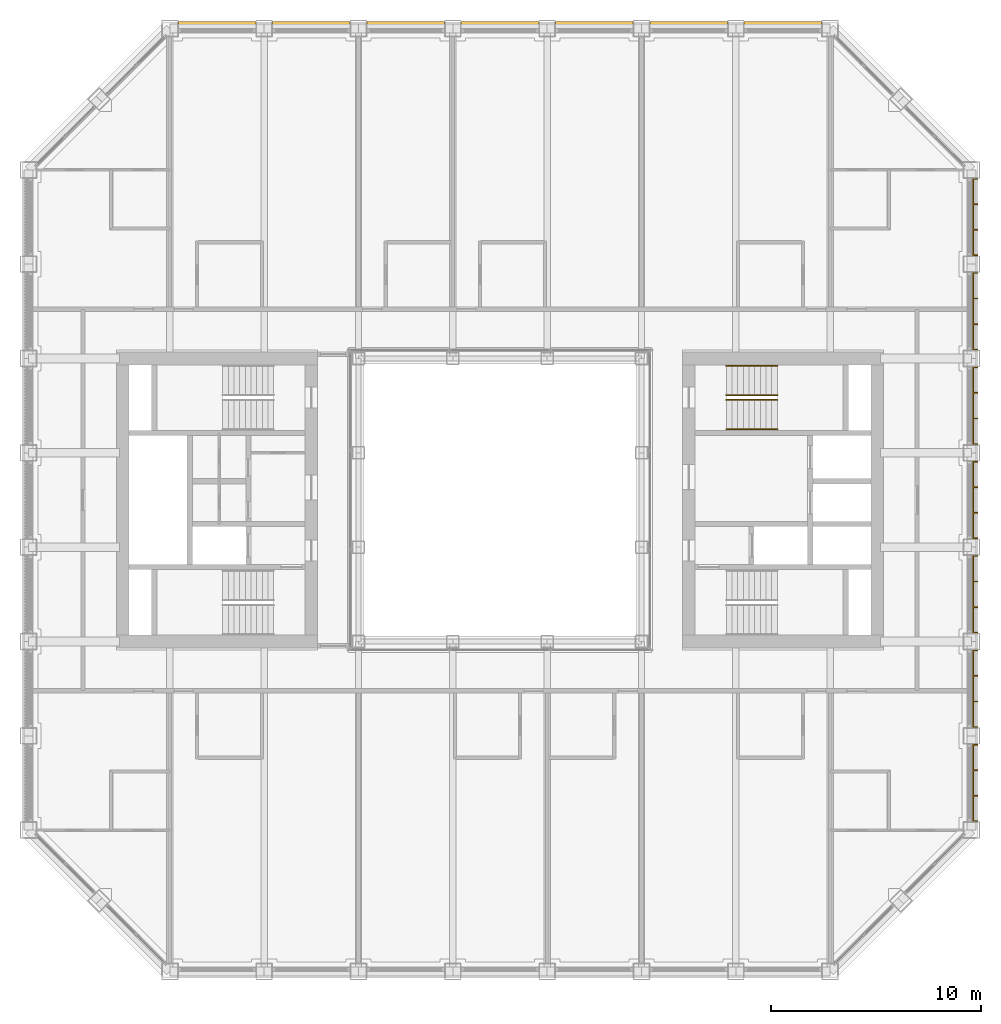
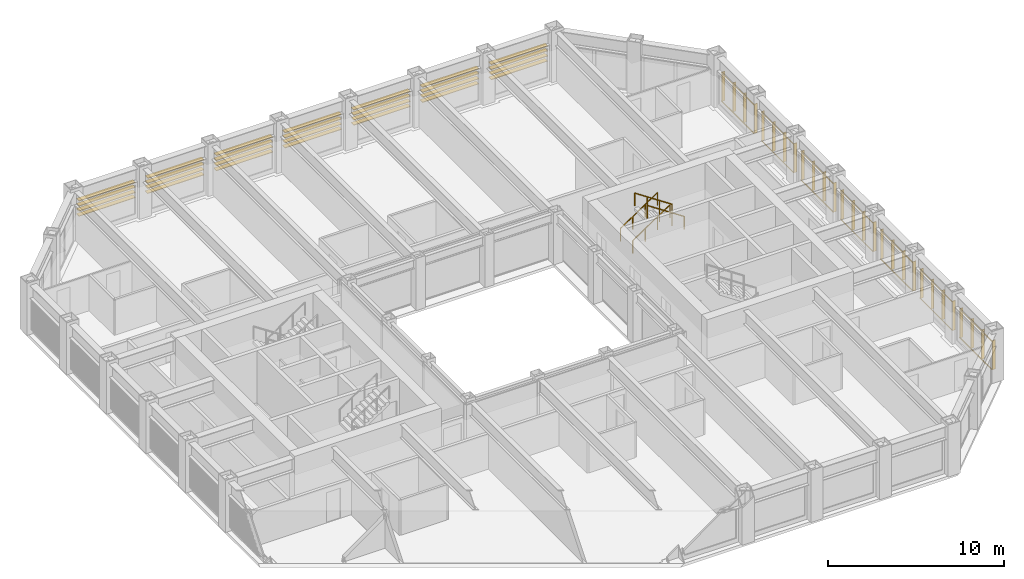
# One storey, part 17 of 17: 4 railings, 2 shading devices.
"""IFC4 building model written with IfcOpenShell, lengths in metres."""

from ifc_helpers import new_model, si_unit, direction, frame, origin, origin_2d, place, context, subcontext, project, spatial, rectangle, circle, extrude, material, type_object, element, save


model = new_model("IFC4")

# Units and contexts
model_context = context("Model", 3, precision=1e-05, world=origin(), true_north=direction((0.0, 1.0)))
body_context = subcontext(model_context, "Body", "Model", "MODEL_VIEW")
ifc_project = project(units=[si_unit("LENGTHUNIT", "METRE"), si_unit("AREAUNIT", "SQUARE_METRE"), si_unit("VOLUMEUNIT", "CUBIC_METRE"), si_unit("PLANEANGLEUNIT", "RADIAN"), si_unit("MASSUNIT", "GRAM", prefix="KILO")], contexts=[model_context])

# Site, building, storey
site_placement = place(None, origin())
site = spatial("IfcSite", under=ifc_project, at=site_placement, CompositionType="ELEMENT")
building_placement = place(site_placement, origin())
building = spatial("IfcBuilding", under=site, at=building_placement, Name="Msasa Ring Tower", CompositionType="ELEMENT")
storey_placement = place(building_placement, frame((0.0, 0.0, 165.199951171875)))
storey = spatial("IfcBuildingStorey", under=building, at=storey_placement, Name="L43", CompositionType="ELEMENT", Elevation=165.199951171875)

# Shading device
ifc_material_1 = material(Name="Extruded terracotta on aluminium carriers", Category="masonry")
shading_device_type_1 = type_object("IfcShadingDeviceType", Name="BS2 TERRACOTTA FIN SCREEN 40x200 AT 1350", PredefinedType="USERDEFINED", material=ifc_material_1)
shading_device_1_placement = place(storey_placement, origin())
element("IfcShadingDevice", 1, at=shading_device_1_placement, inside=storey, type_object=shading_device_type_1, Name="Terracotta fin screen E L43", ObjectType="BAGUETTE", PredefinedType="USERDEFINED", context=body_context, shape_type="SweptSolid", body=[
    extrude(rectangle(XDim=0.06005859375, YDim=0.0400390625, at=origin_2d()), frame((22.580078125, -15.35009765625, 0.330078125), z_axis=(0.0, 1.0, 0.0), x_axis=(0.0, 0.0, 1.0)), (0.0, 0.0, 1.0), 3.699951171875),
    extrude(rectangle(XDim=0.06005859375, YDim=0.0400390625, at=origin_2d()), frame((22.580078125, -15.35009765625, 2.299072265625), z_axis=(0.0, 1.0, 0.0), x_axis=(0.0, 0.0, 1.0)), (0.0, 0.0, 1.0), 3.699951171875),
    extrude(rectangle(XDim=0.0400390625, YDim=0.199951171875, at=origin_2d()), frame((22.695068359375, -15.330078125, 0.300048828125), z_axis=(0.0, 0.0, 1.0), x_axis=(0.0, 1.0, 0.0)), (0.0, 0.0, 1.0), 2.029052734375),
    extrude(rectangle(XDim=0.0400390625, YDim=0.199951171875, at=origin_2d()), frame((22.695068359375, -14.110107421875, 0.300048828125), z_axis=(0.0, 0.0, 1.0), x_axis=(0.0, 1.0, 0.0)), (0.0, 0.0, 1.0), 2.029052734375),
    extrude(rectangle(XDim=0.0400390625, YDim=0.199951171875, at=origin_2d()), frame((22.695068359375, -12.889892578125, 0.300048828125), z_axis=(0.0, 0.0, 1.0), x_axis=(0.0, 1.0, 0.0)), (0.0, 0.0, 1.0), 2.029052734375),
    extrude(rectangle(XDim=0.0400390625, YDim=0.199951171875, at=origin_2d()), frame((22.695068359375, -11.669921875, 0.300048828125), z_axis=(0.0, 0.0, 1.0), x_axis=(0.0, 1.0, 0.0)), (0.0, 0.0, 1.0), 2.029052734375),
    extrude(rectangle(XDim=0.06005859375, YDim=0.0400390625, at=origin_2d()), frame((22.580078125, -10.85009765625, 0.330078125), z_axis=(0.0, 1.0, 0.0), x_axis=(0.0, 0.0, 1.0)), (0.0, 0.0, 1.0), 3.699951171875),
    extrude(rectangle(XDim=0.06005859375, YDim=0.0400390625, at=origin_2d()), frame((22.580078125, -10.85009765625, 2.299072265625), z_axis=(0.0, 1.0, 0.0), x_axis=(0.0, 0.0, 1.0)), (0.0, 0.0, 1.0), 3.699951171875),
    extrude(rectangle(XDim=0.0400390625, YDim=0.199951171875, at=origin_2d()), frame((22.695068359375, -10.830078125, 0.300048828125), z_axis=(0.0, 0.0, 1.0), x_axis=(0.0, 1.0, 0.0)), (0.0, 0.0, 1.0), 2.029052734375),
    extrude(rectangle(XDim=0.0400390625, YDim=0.199951171875, at=origin_2d()), frame((22.695068359375, -9.610107421875, 0.300048828125), z_axis=(0.0, 0.0, 1.0), x_axis=(0.0, 1.0, 0.0)), (0.0, 0.0, 1.0), 2.029052734375),
    extrude(rectangle(XDim=0.0400390625, YDim=0.199951171875, at=origin_2d()), frame((22.695068359375, -8.389892578125, 0.300048828125), z_axis=(0.0, 0.0, 1.0), x_axis=(0.0, 1.0, 0.0)), (0.0, 0.0, 1.0), 2.029052734375),
    extrude(rectangle(XDim=0.0400390625, YDim=0.199951171875, at=origin_2d()), frame((22.695068359375, -7.169921875, 0.300048828125), z_axis=(0.0, 0.0, 1.0), x_axis=(0.0, 1.0, 0.0)), (0.0, 0.0, 1.0), 2.029052734375),
    extrude(rectangle(XDim=0.06005859375, YDim=0.0400390625, at=origin_2d()), frame((22.580078125, -6.35009765625, 0.330078125), z_axis=(0.0, 1.0, 0.0), x_axis=(0.0, 0.0, 1.0)), (0.0, 0.0, 1.0), 3.699951171875),
    extrude(rectangle(XDim=0.06005859375, YDim=0.0400390625, at=origin_2d()), frame((22.580078125, -6.35009765625, 2.299072265625), z_axis=(0.0, 1.0, 0.0), x_axis=(0.0, 0.0, 1.0)), (0.0, 0.0, 1.0), 3.699951171875),
    extrude(rectangle(XDim=0.0400390625, YDim=0.199951171875, at=origin_2d()), frame((22.695068359375, -6.330078125, 0.300048828125), z_axis=(0.0, 0.0, 1.0), x_axis=(0.0, 1.0, 0.0)), (0.0, 0.0, 1.0), 2.029052734375),
    extrude(rectangle(XDim=0.0400390625, YDim=0.199951171875, at=origin_2d()), frame((22.695068359375, -5.110107421875, 0.300048828125), z_axis=(0.0, 0.0, 1.0), x_axis=(0.0, 1.0, 0.0)), (0.0, 0.0, 1.0), 2.029052734375),
    extrude(rectangle(XDim=0.0400390625, YDim=0.199951171875, at=origin_2d()), frame((22.695068359375, -3.889892578125, 0.300048828125), z_axis=(0.0, 0.0, 1.0), x_axis=(0.0, 1.0, 0.0)), (0.0, 0.0, 1.0), 2.029052734375),
    extrude(rectangle(XDim=0.0400390625, YDim=0.199951171875, at=origin_2d()), frame((22.695068359375, -2.669921875, 0.300048828125), z_axis=(0.0, 0.0, 1.0), x_axis=(0.0, 1.0, 0.0)), (0.0, 0.0, 1.0), 2.029052734375),
    extrude(rectangle(XDim=0.06005859375, YDim=0.0400390625, at=origin_2d()), frame((22.580078125, -1.85009765625, 0.330078125), z_axis=(0.0, 1.0, 0.0), x_axis=(0.0, 0.0, 1.0)), (0.0, 0.0, 1.0), 3.699951171875),
    extrude(rectangle(XDim=0.06005859375, YDim=0.0400390625, at=origin_2d()), frame((22.580078125, -1.85009765625, 2.299072265625), z_axis=(0.0, 1.0, 0.0), x_axis=(0.0, 0.0, 1.0)), (0.0, 0.0, 1.0), 3.699951171875),
    extrude(rectangle(XDim=0.0400390625, YDim=0.199951171875, at=origin_2d()), frame((22.695068359375, -1.830078125, 0.300048828125), z_axis=(0.0, 0.0, 1.0), x_axis=(0.0, 1.0, 0.0)), (0.0, 0.0, 1.0), 2.029052734375),
    extrude(rectangle(XDim=0.0400390625, YDim=0.199951171875, at=origin_2d()), frame((22.695068359375, -0.610107421875, 0.300048828125), z_axis=(0.0, 0.0, 1.0), x_axis=(0.0, 1.0, 0.0)), (0.0, 0.0, 1.0), 2.029052734375),
    extrude(rectangle(XDim=0.0400390625, YDim=0.199951171875, at=origin_2d()), frame((22.695068359375, 0.610107421875, 0.300048828125), z_axis=(0.0, 0.0, 1.0), x_axis=(0.0, 1.0, 0.0)), (0.0, 0.0, 1.0), 2.029052734375),
    extrude(rectangle(XDim=0.0400390625, YDim=0.199951171875, at=origin_2d()), frame((22.695068359375, 1.830078125, 0.300048828125), z_axis=(0.0, 0.0, 1.0), x_axis=(0.0, 1.0, 0.0)), (0.0, 0.0, 1.0), 2.029052734375),
    extrude(rectangle(XDim=0.06005859375, YDim=0.0400390625, at=origin_2d()), frame((22.580078125, 2.64990234375, 0.330078125), z_axis=(0.0, 1.0, 0.0), x_axis=(0.0, 0.0, 1.0)), (0.0, 0.0, 1.0), 3.699951171875),
    extrude(rectangle(XDim=0.06005859375, YDim=0.0400390625, at=origin_2d()), frame((22.580078125, 2.64990234375, 2.299072265625), z_axis=(0.0, 1.0, 0.0), x_axis=(0.0, 0.0, 1.0)), (0.0, 0.0, 1.0), 3.699951171875),
    extrude(rectangle(XDim=0.0400390625, YDim=0.199951171875, at=origin_2d()), frame((22.695068359375, 2.669921875, 0.300048828125), z_axis=(0.0, 0.0, 1.0), x_axis=(0.0, 1.0, 0.0)), (0.0, 0.0, 1.0), 2.029052734375),
    extrude(rectangle(XDim=0.0400390625, YDim=0.199951171875, at=origin_2d()), frame((22.695068359375, 3.889892578125, 0.300048828125), z_axis=(0.0, 0.0, 1.0), x_axis=(0.0, 1.0, 0.0)), (0.0, 0.0, 1.0), 2.029052734375),
    extrude(rectangle(XDim=0.0400390625, YDim=0.199951171875, at=origin_2d()), frame((22.695068359375, 5.110107421875, 0.300048828125), z_axis=(0.0, 0.0, 1.0), x_axis=(0.0, 1.0, 0.0)), (0.0, 0.0, 1.0), 2.029052734375),
    extrude(rectangle(XDim=0.0400390625, YDim=0.199951171875, at=origin_2d()), frame((22.695068359375, 6.330078125, 0.300048828125), z_axis=(0.0, 0.0, 1.0), x_axis=(0.0, 1.0, 0.0)), (0.0, 0.0, 1.0), 2.029052734375),
    extrude(rectangle(XDim=0.06005859375, YDim=0.0400390625, at=origin_2d()), frame((22.580078125, 7.14990234375, 0.330078125), z_axis=(0.0, 1.0, 0.0), x_axis=(0.0, 0.0, 1.0)), (0.0, 0.0, 1.0), 3.699951171875),
    extrude(rectangle(XDim=0.06005859375, YDim=0.0400390625, at=origin_2d()), frame((22.580078125, 7.14990234375, 2.299072265625), z_axis=(0.0, 1.0, 0.0), x_axis=(0.0, 0.0, 1.0)), (0.0, 0.0, 1.0), 3.699951171875),
    extrude(rectangle(XDim=0.0400390625, YDim=0.199951171875, at=origin_2d()), frame((22.695068359375, 7.169921875, 0.300048828125), z_axis=(0.0, 0.0, 1.0), x_axis=(0.0, 1.0, 0.0)), (0.0, 0.0, 1.0), 2.029052734375),
    extrude(rectangle(XDim=0.0400390625, YDim=0.199951171875, at=origin_2d()), frame((22.695068359375, 8.389892578125, 0.300048828125), z_axis=(0.0, 0.0, 1.0), x_axis=(0.0, 1.0, 0.0)), (0.0, 0.0, 1.0), 2.029052734375),
    extrude(rectangle(XDim=0.0400390625, YDim=0.199951171875, at=origin_2d()), frame((22.695068359375, 9.610107421875, 0.300048828125), z_axis=(0.0, 0.0, 1.0), x_axis=(0.0, 1.0, 0.0)), (0.0, 0.0, 1.0), 2.029052734375),
    extrude(rectangle(XDim=0.0400390625, YDim=0.199951171875, at=origin_2d()), frame((22.695068359375, 10.830078125, 0.300048828125), z_axis=(0.0, 0.0, 1.0), x_axis=(0.0, 1.0, 0.0)), (0.0, 0.0, 1.0), 2.029052734375),
    extrude(rectangle(XDim=0.06005859375, YDim=0.0400390625, at=origin_2d()), frame((22.580078125, 11.64990234375, 0.330078125), z_axis=(0.0, 1.0, 0.0), x_axis=(0.0, 0.0, 1.0)), (0.0, 0.0, 1.0), 3.699951171875),
    extrude(rectangle(XDim=0.06005859375, YDim=0.0400390625, at=origin_2d()), frame((22.580078125, 11.64990234375, 2.299072265625), z_axis=(0.0, 1.0, 0.0), x_axis=(0.0, 0.0, 1.0)), (0.0, 0.0, 1.0), 3.699951171875),
    extrude(rectangle(XDim=0.0400390625, YDim=0.199951171875, at=origin_2d()), frame((22.695068359375, 11.669921875, 0.300048828125), z_axis=(0.0, 0.0, 1.0), x_axis=(0.0, 1.0, 0.0)), (0.0, 0.0, 1.0), 2.029052734375),
    extrude(rectangle(XDim=0.0400390625, YDim=0.199951171875, at=origin_2d()), frame((22.695068359375, 12.889892578125, 0.300048828125), z_axis=(0.0, 0.0, 1.0), x_axis=(0.0, 1.0, 0.0)), (0.0, 0.0, 1.0), 2.029052734375),
    extrude(rectangle(XDim=0.0400390625, YDim=0.199951171875, at=origin_2d()), frame((22.695068359375, 14.110107421875, 0.300048828125), z_axis=(0.0, 0.0, 1.0), x_axis=(0.0, 1.0, 0.0)), (0.0, 0.0, 1.0), 2.029052734375),
    extrude(rectangle(XDim=0.0400390625, YDim=0.199951171875, at=origin_2d()), frame((22.695068359375, 15.330078125, 0.300048828125), z_axis=(0.0, 0.0, 1.0), x_axis=(0.0, 1.0, 0.0)), (0.0, 0.0, 1.0), 2.029052734375),
])

# Railings
ifc_material_2 = material(Name="Stainless steel", Category="steel")
railing_type = type_object("IfcRailingType", Name="HR1 HANDRAIL 900", PredefinedType="HANDRAIL", material=ifc_material_2)
for number, where, name in (
    (2, (10.800048828125, 5.0, 0.179931640625), "Handrail stair SEB L43 1"),
    (3, (10.800048828125, 6.39990234375, 0.179931640625), "Handrail stair SEB L43 2"),
):
    element("IfcRailing", number, at=place(storey_placement, frame(where)), inside=storey, type_object=railing_type, Name=name, PredefinedType="HANDRAIL", context=body_context, shape_type="SweptSolid", body=[
        extrude(circle(Radius=0.02392578125, at=origin_2d()), frame((0.0, 0.0, 0.8759765625), z_axis=(0.832024571796, 0.0, 0.554738778101), x_axis=(0.0, 1.0, 0.0)), (0.0, 0.0, 1.0), 2.92041015625),
        extrude(circle(Radius=0.02099609375, at=origin_2d()), origin(), (0.0, 0.0, 1.0), 0.851806640625),
        extrude(circle(Radius=0.02099609375, at=origin_2d()), frame((0.81005859375, 0.0, 0.5400390625)), (0.0, 0.0, 1.0), 0.851806640625),
        extrude(circle(Radius=0.02099609375, at=origin_2d()), frame((1.619873046875, 0.0, 1.080078125)), (0.0, 0.0, 1.0), 0.851806640625),
        extrude(circle(Radius=0.02099609375, at=origin_2d()), frame((2.429931640625, 0.0, 1.6201171875)), (0.0, 0.0, 1.0), 0.851806640625),
    ])
for number, where, name in (
    (4, (13.22998046875, 3.375, 1.97998046875), "Handrail stair SEB L43 3"),
    (5, (13.22998046875, 4.77490234375, 1.97998046875), "Handrail stair SEB L43 4"),
):
    element("IfcRailing", number, at=place(storey_placement, frame(where)), inside=storey, type_object=railing_type, Name=name, PredefinedType="HANDRAIL", context=body_context, shape_type="SweptSolid", body=[
        extrude(circle(Radius=0.02392578125, at=origin_2d()), frame((0.0, 0.0, 0.8759765625), z_axis=(-0.832024571796, 0.0, 0.554738778101), x_axis=(0.0, -1.0, 0.0)), (0.0, 0.0, 1.0), 2.92041015625),
        extrude(circle(Radius=0.02099609375, at=origin_2d()), origin(), (0.0, 0.0, 1.0), 0.851806640625),
        extrude(circle(Radius=0.02099609375, at=origin_2d()), frame((-0.81005859375, 0.0, 0.5400390625)), (0.0, 0.0, 1.0), 0.851806640625),
        extrude(circle(Radius=0.02099609375, at=origin_2d()), frame((-1.619873046875, 0.0, 1.080078125)), (0.0, 0.0, 1.0), 0.851806640625),
        extrude(circle(Radius=0.02099609375, at=origin_2d()), frame((-2.429931640625, 0.0, 1.6201171875)), (0.0, 0.0, 1.0), 0.851806640625),
    ])

# Shading device
ifc_material_3 = material(Name="Extruded terracotta blades", Category="masonry")
shading_device_type_2 = type_object("IfcShadingDeviceType", Name="SS1 TERRACOTTA SUNSHADE 4 BLADES 300x40 AT 350", PredefinedType="USERDEFINED", material=ifc_material_3)
shading_device_2_placement = place(storey_placement, origin())
element("IfcShadingDevice", 6, at=shading_device_2_placement, inside=storey, type_object=shading_device_type_2, Name="Terracotta sunshade N L43", ObjectType="SUNSHADE", PredefinedType="USERDEFINED", context=body_context, shape_type="SweptSolid", body=[
    extrude(rectangle(XDim=0.0400390625, YDim=0.300048828125, at=origin_2d()), frame((-15.35009765625, 22.679931640625, 2.30908203125), z_axis=(1.0, 0.0, 0.0), x_axis=(0.0, 0.0, 1.0)), (0.0, 0.0, 1.0), 3.699951171875),
    extrude(rectangle(XDim=0.0400390625, YDim=0.300048828125, at=origin_2d()), frame((-15.35009765625, 22.679931640625, 1.958984375), z_axis=(1.0, 0.0, 0.0), x_axis=(0.0, 0.0, 1.0)), (0.0, 0.0, 1.0), 3.699951171875),
    extrude(rectangle(XDim=0.0400390625, YDim=0.300048828125, at=origin_2d()), frame((-15.35009765625, 22.679931640625, 1.609130859375), z_axis=(1.0, 0.0, 0.0), x_axis=(0.0, 0.0, 1.0)), (0.0, 0.0, 1.0), 3.699951171875),
    extrude(rectangle(XDim=0.0400390625, YDim=0.300048828125, at=origin_2d()), frame((-15.35009765625, 22.679931640625, 1.259033203125), z_axis=(1.0, 0.0, 0.0), x_axis=(0.0, 0.0, 1.0)), (0.0, 0.0, 1.0), 3.699951171875),
    extrude(rectangle(XDim=0.0400390625, YDim=0.300048828125, at=origin_2d()), frame((-10.85009765625, 22.679931640625, 2.30908203125), z_axis=(1.0, 0.0, 0.0), x_axis=(0.0, 0.0, 1.0)), (0.0, 0.0, 1.0), 3.699951171875),
    extrude(rectangle(XDim=0.0400390625, YDim=0.300048828125, at=origin_2d()), frame((-10.85009765625, 22.679931640625, 1.958984375), z_axis=(1.0, 0.0, 0.0), x_axis=(0.0, 0.0, 1.0)), (0.0, 0.0, 1.0), 3.699951171875),
    extrude(rectangle(XDim=0.0400390625, YDim=0.300048828125, at=origin_2d()), frame((-10.85009765625, 22.679931640625, 1.609130859375), z_axis=(1.0, 0.0, 0.0), x_axis=(0.0, 0.0, 1.0)), (0.0, 0.0, 1.0), 3.699951171875),
    extrude(rectangle(XDim=0.0400390625, YDim=0.300048828125, at=origin_2d()), frame((-10.85009765625, 22.679931640625, 1.259033203125), z_axis=(1.0, 0.0, 0.0), x_axis=(0.0, 0.0, 1.0)), (0.0, 0.0, 1.0), 3.699951171875),
    extrude(rectangle(XDim=0.0400390625, YDim=0.300048828125, at=origin_2d()), frame((-6.35009765625, 22.679931640625, 2.30908203125), z_axis=(1.0, 0.0, 0.0), x_axis=(0.0, 0.0, 1.0)), (0.0, 0.0, 1.0), 3.699951171875),
    extrude(rectangle(XDim=0.0400390625, YDim=0.300048828125, at=origin_2d()), frame((-6.35009765625, 22.679931640625, 1.958984375), z_axis=(1.0, 0.0, 0.0), x_axis=(0.0, 0.0, 1.0)), (0.0, 0.0, 1.0), 3.699951171875),
    extrude(rectangle(XDim=0.0400390625, YDim=0.300048828125, at=origin_2d()), frame((-6.35009765625, 22.679931640625, 1.609130859375), z_axis=(1.0, 0.0, 0.0), x_axis=(0.0, 0.0, 1.0)), (0.0, 0.0, 1.0), 3.699951171875),
    extrude(rectangle(XDim=0.0400390625, YDim=0.300048828125, at=origin_2d()), frame((-6.35009765625, 22.679931640625, 1.259033203125), z_axis=(1.0, 0.0, 0.0), x_axis=(0.0, 0.0, 1.0)), (0.0, 0.0, 1.0), 3.699951171875),
    extrude(rectangle(XDim=0.0400390625, YDim=0.300048828125, at=origin_2d()), frame((-1.85009765625, 22.679931640625, 2.30908203125), z_axis=(1.0, 0.0, 0.0), x_axis=(0.0, 0.0, 1.0)), (0.0, 0.0, 1.0), 3.699951171875),
    extrude(rectangle(XDim=0.0400390625, YDim=0.300048828125, at=origin_2d()), frame((-1.85009765625, 22.679931640625, 1.958984375), z_axis=(1.0, 0.0, 0.0), x_axis=(0.0, 0.0, 1.0)), (0.0, 0.0, 1.0), 3.699951171875),
    extrude(rectangle(XDim=0.0400390625, YDim=0.300048828125, at=origin_2d()), frame((-1.85009765625, 22.679931640625, 1.609130859375), z_axis=(1.0, 0.0, 0.0), x_axis=(0.0, 0.0, 1.0)), (0.0, 0.0, 1.0), 3.699951171875),
    extrude(rectangle(XDim=0.0400390625, YDim=0.300048828125, at=origin_2d()), frame((-1.85009765625, 22.679931640625, 1.259033203125), z_axis=(1.0, 0.0, 0.0), x_axis=(0.0, 0.0, 1.0)), (0.0, 0.0, 1.0), 3.699951171875),
    extrude(rectangle(XDim=0.0400390625, YDim=0.300048828125, at=origin_2d()), frame((2.64990234375, 22.679931640625, 2.30908203125), z_axis=(1.0, 0.0, 0.0), x_axis=(0.0, 0.0, 1.0)), (0.0, 0.0, 1.0), 3.699951171875),
    extrude(rectangle(XDim=0.0400390625, YDim=0.300048828125, at=origin_2d()), frame((2.64990234375, 22.679931640625, 1.958984375), z_axis=(1.0, 0.0, 0.0), x_axis=(0.0, 0.0, 1.0)), (0.0, 0.0, 1.0), 3.699951171875),
    extrude(rectangle(XDim=0.0400390625, YDim=0.300048828125, at=origin_2d()), frame((2.64990234375, 22.679931640625, 1.609130859375), z_axis=(1.0, 0.0, 0.0), x_axis=(0.0, 0.0, 1.0)), (0.0, 0.0, 1.0), 3.699951171875),
    extrude(rectangle(XDim=0.0400390625, YDim=0.300048828125, at=origin_2d()), frame((2.64990234375, 22.679931640625, 1.259033203125), z_axis=(1.0, 0.0, 0.0), x_axis=(0.0, 0.0, 1.0)), (0.0, 0.0, 1.0), 3.699951171875),
    extrude(rectangle(XDim=0.0400390625, YDim=0.300048828125, at=origin_2d()), frame((7.14990234375, 22.679931640625, 2.30908203125), z_axis=(1.0, 0.0, 0.0), x_axis=(0.0, 0.0, 1.0)), (0.0, 0.0, 1.0), 3.699951171875),
    extrude(rectangle(XDim=0.0400390625, YDim=0.300048828125, at=origin_2d()), frame((7.14990234375, 22.679931640625, 1.958984375), z_axis=(1.0, 0.0, 0.0), x_axis=(0.0, 0.0, 1.0)), (0.0, 0.0, 1.0), 3.699951171875),
    extrude(rectangle(XDim=0.0400390625, YDim=0.300048828125, at=origin_2d()), frame((7.14990234375, 22.679931640625, 1.609130859375), z_axis=(1.0, 0.0, 0.0), x_axis=(0.0, 0.0, 1.0)), (0.0, 0.0, 1.0), 3.699951171875),
    extrude(rectangle(XDim=0.0400390625, YDim=0.300048828125, at=origin_2d()), frame((7.14990234375, 22.679931640625, 1.259033203125), z_axis=(1.0, 0.0, 0.0), x_axis=(0.0, 0.0, 1.0)), (0.0, 0.0, 1.0), 3.699951171875),
    extrude(rectangle(XDim=0.0400390625, YDim=0.300048828125, at=origin_2d()), frame((11.64990234375, 22.679931640625, 2.30908203125), z_axis=(1.0, 0.0, 0.0), x_axis=(0.0, 0.0, 1.0)), (0.0, 0.0, 1.0), 3.699951171875),
    extrude(rectangle(XDim=0.0400390625, YDim=0.300048828125, at=origin_2d()), frame((11.64990234375, 22.679931640625, 1.958984375), z_axis=(1.0, 0.0, 0.0), x_axis=(0.0, 0.0, 1.0)), (0.0, 0.0, 1.0), 3.699951171875),
    extrude(rectangle(XDim=0.0400390625, YDim=0.300048828125, at=origin_2d()), frame((11.64990234375, 22.679931640625, 1.609130859375), z_axis=(1.0, 0.0, 0.0), x_axis=(0.0, 0.0, 1.0)), (0.0, 0.0, 1.0), 3.699951171875),
    extrude(rectangle(XDim=0.0400390625, YDim=0.300048828125, at=origin_2d()), frame((11.64990234375, 22.679931640625, 1.259033203125), z_axis=(1.0, 0.0, 0.0), x_axis=(0.0, 0.0, 1.0)), (0.0, 0.0, 1.0), 3.699951171875),
])

save(model, "model.ifc")
